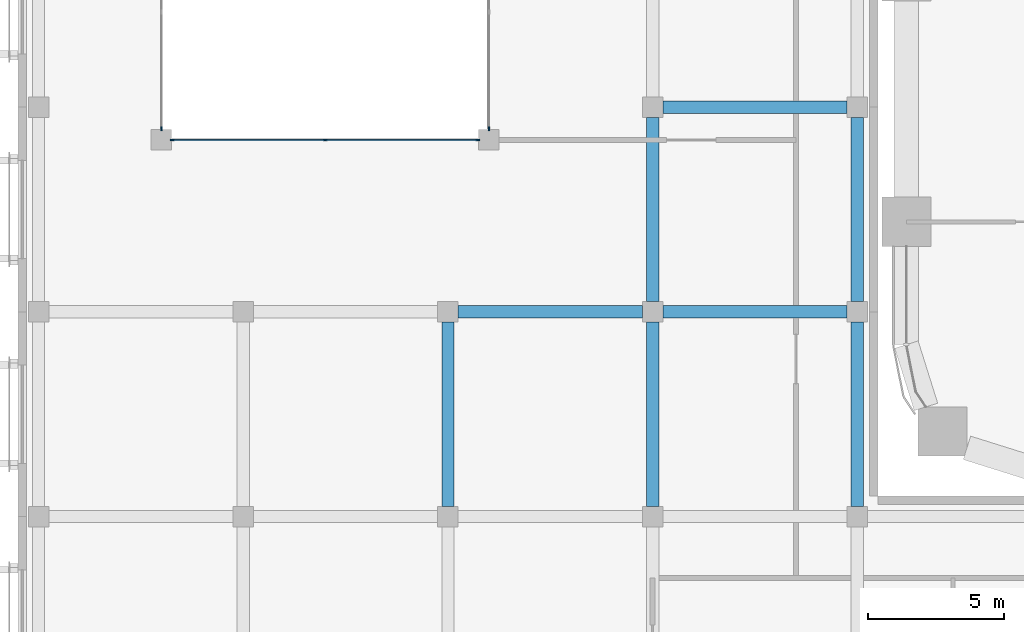
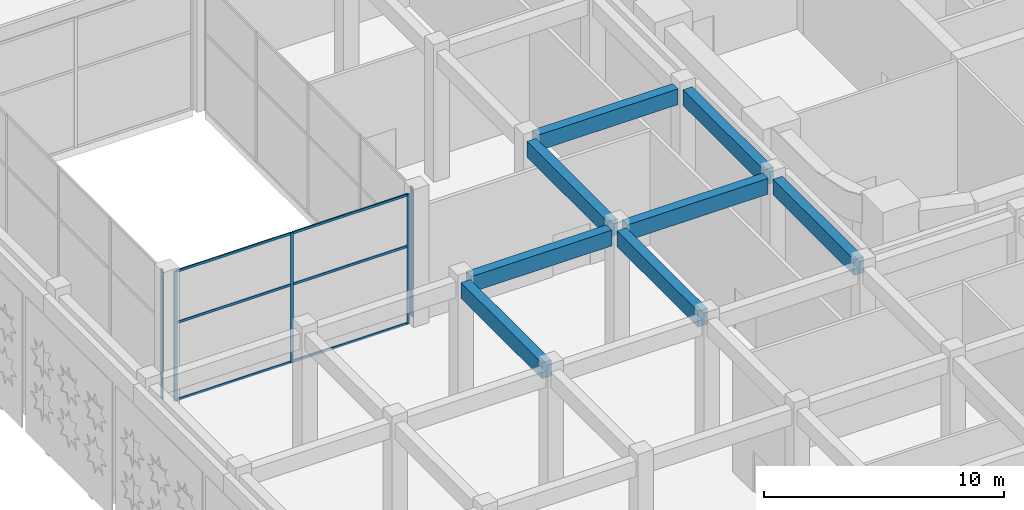
# One storey, part 2 of 42: 11 members, 8 beams, 3 elements without a shape of their own.
"""IFC4 building model written with IfcOpenShell, lengths in metres."""

from ifc_helpers import new_model, si_unit, direction, frame, origin, origin_2d, place, context, subcontext, project, spatial, rectangle, extrude, material, layer, layer_set, material_profile, profile_set, type_object, element, aggregate, save


model = new_model("IFC4")

# Units and contexts
model_context = context("Model", 3, precision=1e-05, world=origin(), true_north=direction((0.0, 1.0)))
body_context = subcontext(model_context, "Body", "Model", "MODEL_VIEW")
ifc_project = project(units=[si_unit("LENGTHUNIT", "METRE"), si_unit("AREAUNIT", "SQUARE_METRE"), si_unit("VOLUMEUNIT", "CUBIC_METRE"), si_unit("PLANEANGLEUNIT", "RADIAN"), si_unit("MASSUNIT", "GRAM", prefix="KILO")], contexts=[model_context])

# Site, building, storey
site_placement = place(None, origin())
site = spatial("IfcSite", under=ifc_project, at=site_placement, CompositionType="ELEMENT")
building_placement = place(site_placement, origin())
building = spatial("IfcBuilding", under=site, at=building_placement, Name="Tessera Arch", CompositionType="ELEMENT")
storey_placement = place(building_placement, frame((0.0, 0.0, 14.0)))
storey = spatial("IfcBuildingStorey", under=building, at=storey_placement, Name="L02", CompositionType="ELEMENT", Elevation=14.0)

# Curtain wall, members
ifc_material_1 = material(Name="Aluminium and clear glass", Category="aluminium")
ifc_layer = layer(ifc_material_1, 0.1201171875)
ifc_layer_set = layer_set([ifc_layer], Name="Courtyard curtain wall")
curtain_wall_type = type_object("IfcCurtainWallType", Name="Courtyard curtain wall", PredefinedType="NOTDEFINED", material=ifc_layer_set)
curtain_wall_1_placement = place(storey_placement, origin())
curtain_wall_1 = element("IfcCurtainWall", 1, at=curtain_wall_1_placement, inside=storey, type_object=curtain_wall_type, Name="Courtyard curtain wall L02 1", PredefinedType="NOTDEFINED")
ifc_material_2 = material(Name="Aluminium alloy anodised", Category="aluminium")
ifc_material_profile_1 = material_profile(ifc_material_2, rectangle(XDim=0.06005859375, YDim=0.14990234375, at=origin_2d()), Name="Courtyard mullion")
ifc_profile_set_1 = profile_set([ifc_material_profile_1], Name="Aluminium alloy anodised")
member_type_1 = type_object("IfcMemberType", Name="Courtyard mullion", PredefinedType="MULLION", material=ifc_profile_set_1)
member_1_placement = place(storey_placement, frame((-26.89501953125, 12.0, 0.0), z_axis=(0.0, 0.0, 1.0), x_axis=(0.0, 1.0, 0.0)))
member_1 = element("IfcMember", 2, at=member_1_placement, type_object=member_type_1, Name="MCW1 mullion 1", PredefinedType="MULLION", context=body_context, shape_type="SweptSolid", body=[
    extrude(rectangle(XDim=0.06005859375, YDim=0.14990234375, at=origin_2d()), origin(), (0.0, 0.0, 1.0), 6.590087890625),
])
member_2_placement = place(storey_placement, frame((-21.300048828125, 12.0, 0.0), z_axis=(0.0, 0.0, 1.0), x_axis=(0.0, 1.0, 0.0)))
member_2 = element("IfcMember", 3, at=member_2_placement, type_object=member_type_1, Name="MCW1 mullion 2", PredefinedType="MULLION", context=body_context, shape_type="SweptSolid", body=[
    extrude(rectangle(XDim=0.06005859375, YDim=0.14990234375, at=origin_2d()), origin(), (0.0, 0.0, 1.0), 6.590087890625),
])
member_3_placement = place(storey_placement, frame((-15.705078125, 12.0, 0.0), z_axis=(0.0, 0.0, 1.0), x_axis=(0.0, 1.0, 0.0)))
member_3 = element("IfcMember", 4, at=member_3_placement, type_object=member_type_1, Name="MCW1 mullion 3", PredefinedType="MULLION", context=body_context, shape_type="SweptSolid", body=[
    extrude(rectangle(XDim=0.06005859375, YDim=0.14990234375, at=origin_2d()), origin(), (0.0, 0.0, 1.0), 6.590087890625),
])

# Curtain wall, member
curtain_wall_2_placement = place(storey_placement, origin())
curtain_wall_2 = element("IfcCurtainWall", 5, at=curtain_wall_2_placement, inside=storey, type_object=curtain_wall_type, Name="Courtyard curtain wall L02 2", PredefinedType="NOTDEFINED")
member_4_placement = place(storey_placement, frame((-15.300048828125, 12.405029296875, 0.0), z_axis=(0.0, 0.0, 1.0), x_axis=(-1.0, 0.0, 0.0)))
member_4 = element("IfcMember", 6, at=member_4_placement, type_object=member_type_1, Name="MCW1 mullion 1", PredefinedType="MULLION", context=body_context, shape_type="SweptSolid", body=[
    extrude(rectangle(XDim=0.06005859375, YDim=0.14990234375, at=origin_2d()), origin(), (0.0, 0.0, 1.0), 6.590087890625),
])
aggregate(curtain_wall_2, [member_4])

curtain_wall_3_placement = place(storey_placement, origin())
curtain_wall_3 = element("IfcCurtainWall", 7, at=curtain_wall_3_placement, inside=storey, type_object=curtain_wall_type, Name="Courtyard curtain wall L02 4", PredefinedType="NOTDEFINED")
member_5_placement = place(storey_placement, frame((-27.300048828125, 12.405029296875, 0.0), z_axis=(0.0, 0.0, 1.0), x_axis=(1.0, 0.0, 0.0)))
member_5 = element("IfcMember", 8, at=member_5_placement, type_object=member_type_1, Name="MCW1 mullion 5", PredefinedType="MULLION", context=body_context, shape_type="SweptSolid", body=[
    extrude(rectangle(XDim=0.06005859375, YDim=0.14990234375, at=origin_2d()), origin(), (0.0, 0.0, 1.0), 6.590087890625),
])
aggregate(curtain_wall_3, [member_5])

# Member
ifc_material_3 = material(Name="Aluminium alloy anodised", Category="aluminium")
ifc_material_profile_2 = material_profile(ifc_material_3, rectangle(XDim=0.06005859375, YDim=0.1201171875, at=origin_2d()), Name="Courtyard transom")
ifc_profile_set_2 = profile_set([ifc_material_profile_2], Name="Aluminium alloy anodised")
member_type_2 = type_object("IfcMemberType", Name="Courtyard transom", PredefinedType="USERDEFINED", material=ifc_profile_set_2)
member_6_placement = place(storey_placement, frame((-26.864990234375, 12.0, 0.030029296875), z_axis=(1.0, 0.0, 0.0), x_axis=(0.0, 1.0, 0.0)))
member_6 = element("IfcMember", 9, at=member_6_placement, type_object=member_type_2, Name="MCW1 transom 1.1", ObjectType="TRANSOM", PredefinedType="USERDEFINED", context=body_context, shape_type="SweptSolid", body=[
    extrude(rectangle(XDim=0.06005859375, YDim=0.1201171875, at=origin_2d()), origin(), (0.0, 0.0, 1.0), 5.534912109375),
])

member_7_placement = place(storey_placement, frame((-26.864990234375, 12.0, 3.9541015625), z_axis=(1.0, 0.0, 0.0), x_axis=(0.0, 1.0, 0.0)))
member_7 = element("IfcMember", 10, at=member_7_placement, type_object=member_type_2, Name="MCW1 transom 1.2", ObjectType="TRANSOM", PredefinedType="USERDEFINED", context=body_context, shape_type="SweptSolid", body=[
    extrude(rectangle(XDim=0.06005859375, YDim=0.1201171875, at=origin_2d()), origin(), (0.0, 0.0, 1.0), 5.534912109375),
])

member_8_placement = place(storey_placement, frame((-26.864990234375, 12.0, 6.56005859375), z_axis=(1.0, 0.0, 0.0), x_axis=(0.0, 1.0, 0.0)))
member_8 = element("IfcMember", 11, at=member_8_placement, type_object=member_type_2, Name="MCW1 transom 1.3", ObjectType="TRANSOM", PredefinedType="USERDEFINED", context=body_context, shape_type="SweptSolid", body=[
    extrude(rectangle(XDim=0.06005859375, YDim=0.1201171875, at=origin_2d()), origin(), (0.0, 0.0, 1.0), 5.534912109375),
])

member_9_placement = place(storey_placement, frame((-21.27001953125, 12.0, 0.030029296875), z_axis=(1.0, 0.0, 0.0), x_axis=(0.0, 1.0, 0.0)))
member_9 = element("IfcMember", 12, at=member_9_placement, type_object=member_type_2, Name="MCW1 transom 2.1", ObjectType="TRANSOM", PredefinedType="USERDEFINED", context=body_context, shape_type="SweptSolid", body=[
    extrude(rectangle(XDim=0.06005859375, YDim=0.1201171875, at=origin_2d()), origin(), (0.0, 0.0, 1.0), 5.534912109375),
])

member_10_placement = place(storey_placement, frame((-21.27001953125, 12.0, 3.9541015625), z_axis=(1.0, 0.0, 0.0), x_axis=(0.0, 1.0, 0.0)))
member_10 = element("IfcMember", 13, at=member_10_placement, type_object=member_type_2, Name="MCW1 transom 2.2", ObjectType="TRANSOM", PredefinedType="USERDEFINED", context=body_context, shape_type="SweptSolid", body=[
    extrude(rectangle(XDim=0.06005859375, YDim=0.1201171875, at=origin_2d()), origin(), (0.0, 0.0, 1.0), 5.534912109375),
])

member_11_placement = place(storey_placement, frame((-21.27001953125, 12.0, 6.56005859375), z_axis=(1.0, 0.0, 0.0), x_axis=(0.0, 1.0, 0.0)))
member_11 = element("IfcMember", 14, at=member_11_placement, type_object=member_type_2, Name="MCW1 transom 2.3", ObjectType="TRANSOM", PredefinedType="USERDEFINED", context=body_context, shape_type="SweptSolid", body=[
    extrude(rectangle(XDim=0.06005859375, YDim=0.1201171875, at=origin_2d()), origin(), (0.0, 0.0, 1.0), 5.534912109375),
])

aggregate(curtain_wall_1, [member_1, member_2, member_3, member_6, member_7, member_8, member_9, member_10, member_11])

# Beams
ifc_material_4 = material(Name="Concrete C40/50", Category="concrete")
ifc_material_profile_3 = material_profile(ifc_material_4, rectangle(XDim=0.449951171875, YDim=0.800048828125, at=origin_2d()), Name="Museum beam 450 x 800 Concrete C40/50")
ifc_profile_set_3 = profile_set([ifc_material_profile_3], Name="Concrete C40/50")
beam_type = type_object("IfcBeamType", Name="Museum beam 450 x 800 Concrete C40/50", PredefinedType="BEAM", material=ifc_profile_set_3)
for number, where, z_axis, x_axis, name in (
    (15, (-16.800048828125, -1.425048828125, 6.18994140625), (0.0, 1.0, 0.0), (-1.0, 0.0, 0.0), "Museum beam L02 17"),
    (16, (-9.300048828125, -1.425048828125, 6.18994140625), (0.0, 1.0, 0.0), (-1.0, 0.0, 0.0), "Museum beam L02 26"),
    (17, (-9.300048828125, 6.074951171875, 6.18994140625), (0.0, 1.0, 0.0), (-1.0, 0.0, 0.0), "Museum beam L02 27"),
    (18, (-1.800048828125, -1.425048828125, 6.18994140625), (0.0, 1.0, 0.0), (-1.0, 0.0, 0.0), "Museum beam L02 38"),
    (19, (-1.800048828125, 6.074951171875, 6.18994140625), (0.0, 1.0, 0.0), (-1.0, 0.0, 0.0), "Museum beam L02 39"),
    (20, (-16.425048828125, 5.699951171875, 6.18994140625), (1.0, 0.0, 0.0), (0.0, 1.0, 0.0), "Museum beam L02 71"),
    (21, (-8.925048828125, 5.699951171875, 6.18994140625), (1.0, 0.0, 0.0), (0.0, 1.0, 0.0), "Museum beam L02 72"),
    (22, (-8.925048828125, 13.199951171875, 6.18994140625), (1.0, 0.0, 0.0), (0.0, 1.0, 0.0), "Museum beam L02 73"),
):
    element("IfcBeam", number, at=place(storey_placement, frame(where, z_axis=z_axis, x_axis=x_axis)), inside=storey, type_object=beam_type, Name=name, PredefinedType="BEAM", context=body_context, shape_type="SweptSolid", body=[
        extrude(rectangle(XDim=0.449951171875, YDim=0.800048828125, at=origin_2d()), origin(), (0.0, 0.0, 1.0), 6.75),
    ])

save(model, "model.ifc")
